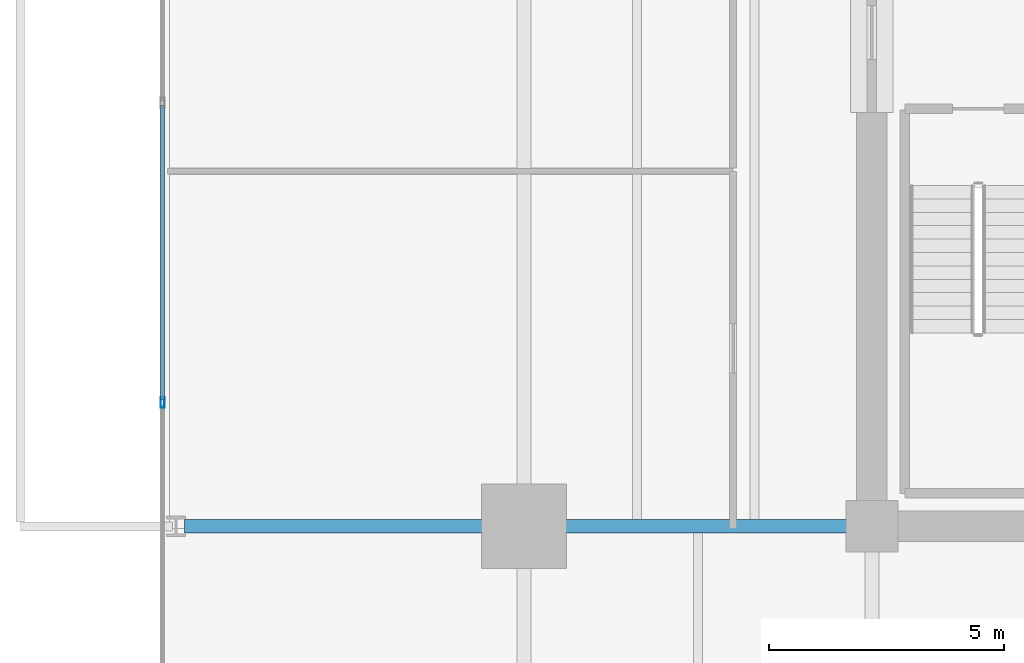
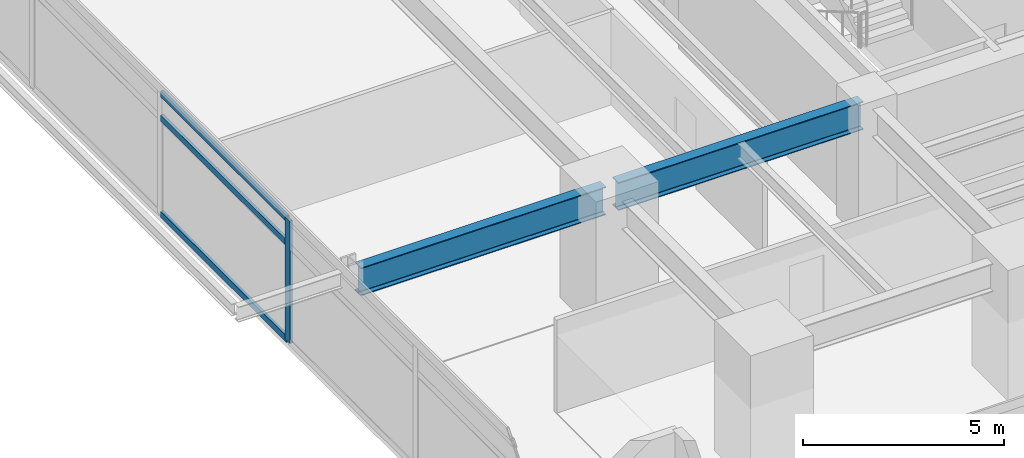
# One storey, part 4 of 22: 4 members, 2 beams, 1 element without a shape of its own.
"""IFC4 building model written with IfcOpenShell, lengths in metres."""

from ifc_helpers import new_model, si_unit, direction, frame, origin, origin_2d, place, context, subcontext, project, spatial, hollow_rectangle, i_section, extrude, material, material_profile, profile_set, type_object, element, aggregate, save


model = new_model("IFC4")

# Units and contexts
model_context = context("Model", 3, precision=1e-05, world=origin(), true_north=direction((0.0, 1.0)))
body_context = subcontext(model_context, "Body", "Model", "MODEL_VIEW")
ifc_project = project(units=[si_unit("LENGTHUNIT", "METRE"), si_unit("AREAUNIT", "SQUARE_METRE"), si_unit("VOLUMEUNIT", "CUBIC_METRE"), si_unit("PLANEANGLEUNIT", "RADIAN"), si_unit("MASSUNIT", "GRAM", prefix="KILO")], contexts=[model_context])

# Site, building, storey
site_placement = place(None, origin())
site = spatial("IfcSite", under=ifc_project, at=site_placement, CompositionType="ELEMENT")
building_placement = place(site_placement, origin())
building = spatial("IfcBuilding", under=site, at=building_placement, Name="Kovane Verandah Tower", CompositionType="ELEMENT")
storey_placement = place(building_placement, frame((0.0, 0.0, 71.60009765625)))
storey = spatial("IfcBuildingStorey", under=building, at=storey_placement, Name="L16", CompositionType="ELEMENT", Elevation=71.60009765625)

# Beams
ifc_material_1 = material(Name="Steel S355", Category="steel")
ifc_material_profile_1 = material_profile(ifc_material_1, i_section(OverallWidth=0.293701171875, OverallDepth=0.850830078125, WebThickness=0.01611328125, FlangeThickness=0.02685546875, FilletRadius=0.017822265625, at=origin_2d()), Name="UB838x292x226")
ifc_profile_set_1 = profile_set([ifc_material_profile_1], Name="Steel S355")
beam_type = type_object("IfcBeamType", Name="BM-UB838x226", PredefinedType="BEAM", material=ifc_profile_set_1)
for number, where, z_axis, x_axis, name in (
    (1, (28.820068359375, 18.5, 3.33447265625), (-1.0, 0.0, 0.0), (0.0, -1.0, 0.0), "L16 Primary Tower Girder G-W1"),
    (2, (21.419921875, 18.5, 3.33447265625), (-1.0, 0.0, 0.0), (0.0, -1.0, 0.0), "L16 Primary Tower Girder G-VW1"),
):
    element("IfcBeam", number, at=place(storey_placement, frame(where, z_axis=z_axis, x_axis=x_axis)), inside=storey, type_object=beam_type, Name=name, PredefinedType="BEAM", context=body_context, shape_type="SweptSolid", body=[
        extrude(i_section(OverallWidth=0.293701171875, OverallDepth=0.850830078125, WebThickness=0.01611328125, FlangeThickness=0.02685546875, FilletRadius=0.017822265625, at=origin_2d()), origin(), (0.0, 0.0, 1.0), 7.0400390625),
    ])

# Curtain wall, members
ifc_material_2 = material(Name="Champagne Anodised Aluminium Frame with Low-E Clear Laminated Glass", Category="aluminium")
curtain_wall_type = type_object("IfcCurtainWallType", Name="CW-SYS-02-LOW", PredefinedType="NOTDEFINED", material=ifc_material_2)
curtain_wall_placement = place(storey_placement, origin())
curtain_wall = element("IfcCurtainWall", 3, at=curtain_wall_placement, inside=storey, type_object=curtain_wall_type, Name="L16 W Unitised Curtain Wall", PredefinedType="NOTDEFINED")
ifc_material_3 = material(Name="Champagne Anodised Aluminium 6063-T6", Category="aluminium")
ifc_material_profile_2 = material_profile(ifc_material_3, hollow_rectangle(XDim=0.0849609375, YDim=0.22998046875, WallThickness=0.00390625, at=origin_2d()), Name="AL85x230x4")
ifc_profile_set_2 = profile_set([ifc_material_profile_2], Name="Champagne Anodised Aluminium 6063-T6")
member_type_1 = type_object("IfcMemberType", Name="CW-MUL-85x230", PredefinedType="MULLION", material=ifc_profile_set_2)
member_1_placement = place(storey_placement, frame((13.91357421875, 21.13330078125, 0.02001953125), z_axis=(0.0, 0.0, 1.0), x_axis=(-1.0, 0.0, 0.0)))
member_1 = element("IfcMember", 4, at=member_1_placement, type_object=member_type_1, Name="L16 W Unitised Curtain Wall Mullion 5", PredefinedType="MULLION", context=body_context, shape_type="SweptSolid", body=[
    extrude(hollow_rectangle(XDim=0.0849609375, YDim=0.22998046875, WallThickness=0.00390625, at=origin_2d()), origin(), (0.0, 0.0, 1.0), 3.719970703125),
])
ifc_material_profile_3 = material_profile(ifc_material_3, hollow_rectangle(XDim=0.0849609375, YDim=0.18994140625, WallThickness=0.00390625, at=origin_2d()), Name="AL85x190x4")
ifc_profile_set_3 = profile_set([ifc_material_profile_3], Name="Champagne Anodised Aluminium 6063-T6")
member_type_2 = type_object("IfcMemberType", Name="CW-TRN-85x190", PredefinedType="USERDEFINED", material=ifc_profile_set_3)
member_2_placement = place(storey_placement, frame((13.91357421875, 27.449951171875, 0.0498046875), z_axis=(0.0, -1.0, 0.0), x_axis=(1.0, 0.0, 0.0)))
member_2 = element("IfcMember", 5, at=member_2_placement, type_object=member_type_2, Name="L16 W Unitised Curtain Wall Transom TB Bay 4", ObjectType="TRANSOM", PredefinedType="USERDEFINED", context=body_context, shape_type="SweptSolid", body=[
    extrude(hollow_rectangle(XDim=0.0849609375, YDim=0.18994140625, WallThickness=0.00390625, at=origin_2d()), origin(), (0.0, 0.0, 1.0), 6.266845703125),
])
member_3_placement = place(storey_placement, frame((13.91357421875, 27.449951171875, 2.97998046875), z_axis=(0.0, -1.0, 0.0), x_axis=(1.0, 0.0, 0.0)))
member_3 = element("IfcMember", 6, at=member_3_placement, type_object=member_type_2, Name="L16 W Unitised Curtain Wall Transom TM Bay 4", ObjectType="TRANSOM", PredefinedType="USERDEFINED", context=body_context, shape_type="SweptSolid", body=[
    extrude(hollow_rectangle(XDim=0.0849609375, YDim=0.18994140625, WallThickness=0.00390625, at=origin_2d()), origin(), (0.0, 0.0, 1.0), 6.266845703125),
])
member_4_placement = place(storey_placement, frame((13.91357421875, 27.449951171875, 3.7099609375), z_axis=(0.0, -1.0, 0.0), x_axis=(1.0, 0.0, 0.0)))
member_4 = element("IfcMember", 7, at=member_4_placement, type_object=member_type_2, Name="L16 W Unitised Curtain Wall Transom TT Bay 4", ObjectType="TRANSOM", PredefinedType="USERDEFINED", context=body_context, shape_type="SweptSolid", body=[
    extrude(hollow_rectangle(XDim=0.0849609375, YDim=0.18994140625, WallThickness=0.00390625, at=origin_2d()), origin(), (0.0, 0.0, 1.0), 6.266845703125),
])
aggregate(curtain_wall, [member_1, member_2, member_3, member_4])

save(model, "model.ifc")
